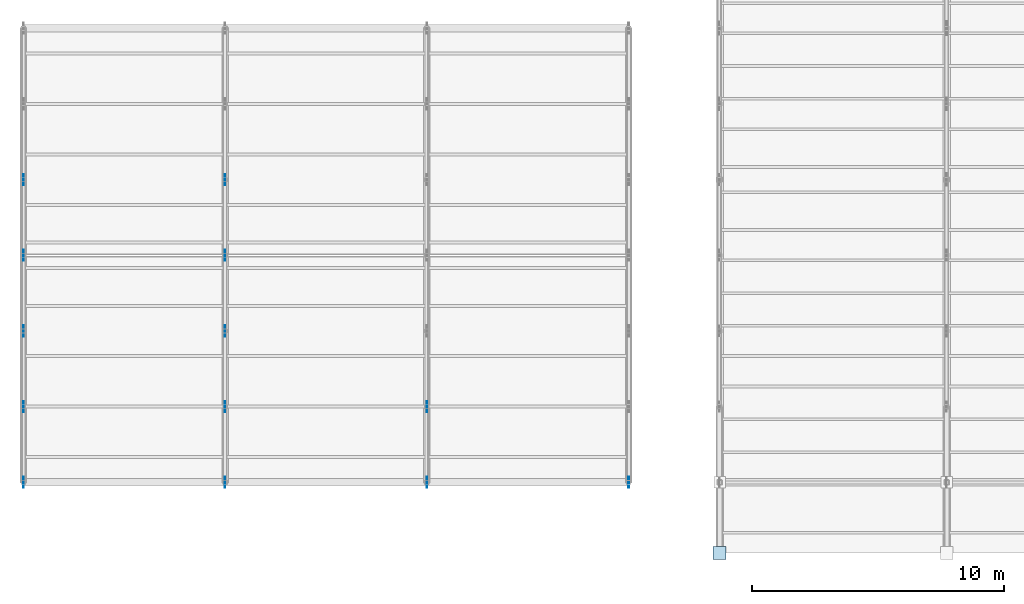
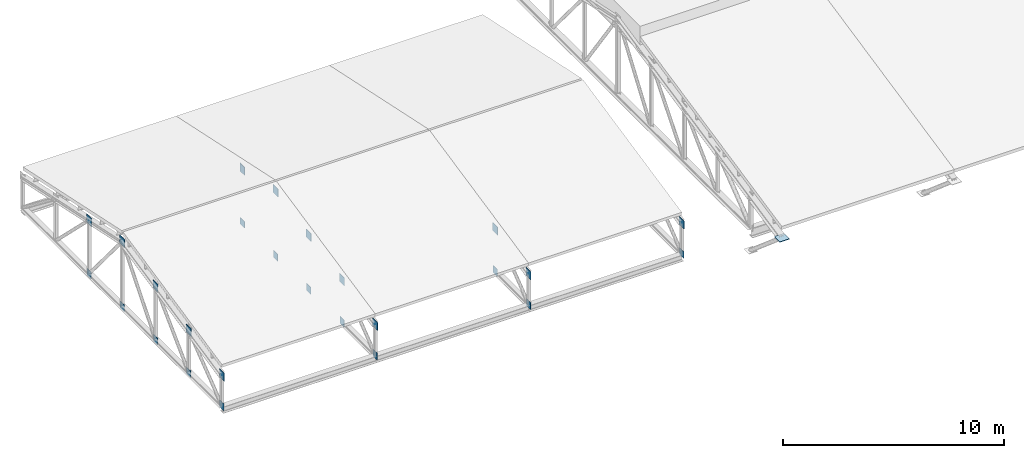
# One storey, part 32 of 43: 27 plates.
"""IFC4 building model written with IfcOpenShell, lengths in metres."""

from ifc_helpers import new_model, si_unit, direction, frame, origin, origin_2d, place, context, subcontext, project, spatial, rectangle, extrude, material, layer, layer_set, type_object, element, save


model = new_model("IFC4")

# Units and contexts
model_context = context("Model", 3, precision=1e-05, world=origin(), true_north=direction((0.0, 1.0)))
body_context = subcontext(model_context, "Body", "Model", "MODEL_VIEW")
ifc_project = project(units=[si_unit("LENGTHUNIT", "METRE"), si_unit("AREAUNIT", "SQUARE_METRE"), si_unit("VOLUMEUNIT", "CUBIC_METRE"), si_unit("PLANEANGLEUNIT", "RADIAN"), si_unit("MASSUNIT", "GRAM", prefix="KILO")], contexts=[model_context])

# Site, building, storey
site_placement = place(None, origin())
site = spatial("IfcSite", under=ifc_project, at=site_placement, CompositionType="ELEMENT")
building_placement = place(site_placement, origin())
building = spatial("IfcBuilding", under=site, at=building_placement, Name="Serraforn Aerial Cableway Station", CompositionType="ELEMENT")
storey_placement = place(building_placement, frame((0.0, 0.0, 18.300048828125)))
storey = spatial("IfcBuildingStorey", under=building, at=storey_placement, Name="RF", CompositionType="ELEMENT", Elevation=18.300048828125)

# Plates
ifc_material = material(Name="Steel S355J2", Category="steel")
ifc_layer_1 = layer(ifc_material, 0.02001953125)
ifc_layer_set_1 = layer_set([ifc_layer_1], Name="Steel S355J2")
plate_type_1 = type_object("IfcPlateType", Name="PLT-CAP-20", PredefinedType="USERDEFINED", material=ifc_layer_set_1)
for number, where, z_axis, x_axis, name in (
    (1, (0.0, 18.0, -1.739990234375), (0.0, 0.0, 1.0), (1.0, 0.0, 0.0), "Belvedere Truss Bottom Node WT-01-1"),
    (2, (0.0, 21.0, -1.739990234375), (0.0, 0.0, 1.0), (1.0, 0.0, 0.0), "Belvedere Truss Bottom Node WT-01-2"),
    (3, (0.0, 24.0, -1.739990234375), (0.0, 0.0, 1.0), (1.0, 0.0, 0.0), "Belvedere Truss Bottom Node WT-01-3"),
    (4, (0.0, 27.0, -1.739990234375), (0.0, 0.0, 1.0), (1.0, 0.0, 0.0), "Belvedere Truss Bottom Node WT-01-4"),
    (5, (0.0, 30.0, -1.739990234375), (0.0, 0.0, 1.0), (1.0, 0.0, 0.0), "Belvedere Truss Bottom Node WT-01-5"),
    (6, (8.0, 18.0, -1.739990234375), (0.0, 0.0, 1.0), (1.0, 0.0, 0.0), "Belvedere Truss Bottom Node WT-02-1"),
    (7, (8.0, 21.0, -1.739990234375), (0.0, 0.0, 1.0), (1.0, 0.0, 0.0), "Belvedere Truss Bottom Node WT-02-2"),
    (8, (8.0, 24.0, -1.739990234375), (0.0, 0.0, 1.0), (1.0, 0.0, 0.0), "Belvedere Truss Bottom Node WT-02-3"),
    (9, (8.0, 27.0, -1.739990234375), (0.0, 0.0, 1.0), (1.0, 0.0, 0.0), "Belvedere Truss Bottom Node WT-02-4"),
    (10, (8.0, 30.0, -1.739990234375), (0.0, 0.0, 1.0), (1.0, 0.0, 0.0), "Belvedere Truss Bottom Node WT-02-5"),
    (11, (16.0, 18.0, -1.739990234375), (0.0, 0.0, 1.0), (1.0, 0.0, 0.0), "Belvedere Truss Bottom Node WT-03-1"),
    (12, (16.0, 21.0, -1.739990234375), (0.0, 0.0, 1.0), (1.0, 0.0, 0.0), "Belvedere Truss Bottom Node WT-03-2"),
    (13, (24.0, 18.0, -1.739990234375), (0.0, 0.0, 1.0), (1.0, 0.0, 0.0), "Belvedere Truss Bottom Node WT-04-1"),
):
    element("IfcPlate", number, at=place(storey_placement, frame(where, z_axis=z_axis, x_axis=x_axis)), inside=storey, type_object=plate_type_1, Name=name, ObjectType="CAP PLATE", PredefinedType="USERDEFINED", context=body_context, shape_type="SweptSolid", body=[
        extrude(rectangle(XDim=0.02001953125, YDim=0.3798828125, at=origin_2d()), origin(), (0.0, 0.0, 1.0), 0.3798828125),
    ])
ifc_layer_2 = layer(ifc_material, 0.028076171875)
ifc_layer_set_2 = layer_set([ifc_layer_2], Name="Steel S355J2")
plate_type_2 = type_object("IfcPlateType", Name="PLT-CAP-28", PredefinedType="USERDEFINED", material=ifc_layer_set_2)
plate_placement = place(storey_placement, frame((27.60009765625, 15.199951171875, -0.2841796875), z_axis=(0.0, 0.0, 1.0), x_axis=(1.0, 0.0, 0.0)))
element("IfcPlate", 14, at=plate_placement, inside=storey, type_object=plate_type_2, Name="Truss Eave Tip Cap Plate TR-01-ES", ObjectType="CAP PLATE", PredefinedType="USERDEFINED", context=body_context, shape_type="SweptSolid", body=[
    extrude(rectangle(XDim=0.5, YDim=0.5, at=origin_2d()), origin(), (0.0, 0.0, 1.0), 0.028076171875),
])
ifc_layer_3 = layer(ifc_material, 0.02197265625)
ifc_layer_set_3 = layer_set([ifc_layer_3], Name="Steel S355J2")
plate_type_3 = type_object("IfcPlateType", Name="PLT-GUS-22", PredefinedType="USERDEFINED", material=ifc_layer_set_3)
for number, where, z_axis, x_axis, name in (
    (15, (0.0, 18.0, -0.091064453125), (0.0, 0.0, 1.0), (1.0, 0.0, 0.0), "Belvedere Truss Top Node WT-01-1"),
    (16, (0.0, 21.0, 0.546630859375), (0.0, 0.0, 1.0), (1.0, 0.0, 0.0), "Belvedere Truss Top Node WT-01-2"),
    (17, (0.0, 24.0, 1.18408203125), (0.0, 0.0, 1.0), (1.0, 0.0, 0.0), "Belvedere Truss Top Node WT-01-3"),
    (18, (0.0, 27.0, 1.82177734375), (0.0, 0.0, 1.0), (1.0, 0.0, 0.0), "Belvedere Truss Top Node WT-01-4"),
    (19, (0.0, 30.0, 1.18408203125), (0.0, 0.0, 1.0), (1.0, 0.0, 0.0), "Belvedere Truss Top Node WT-01-5"),
    (20, (8.0, 18.0, -0.091064453125), (0.0, 0.0, 1.0), (1.0, 0.0, 0.0), "Belvedere Truss Top Node WT-02-1"),
    (21, (8.0, 21.0, 0.546630859375), (0.0, 0.0, 1.0), (1.0, 0.0, 0.0), "Belvedere Truss Top Node WT-02-2"),
    (22, (8.0, 24.0, 1.18408203125), (0.0, 0.0, 1.0), (1.0, 0.0, 0.0), "Belvedere Truss Top Node WT-02-3"),
    (23, (8.0, 27.0, 1.82177734375), (0.0, 0.0, 1.0), (1.0, 0.0, 0.0), "Belvedere Truss Top Node WT-02-4"),
    (24, (8.0, 30.0, 1.18408203125), (0.0, 0.0, 1.0), (1.0, 0.0, 0.0), "Belvedere Truss Top Node WT-02-5"),
    (25, (16.0, 18.0, -0.091064453125), (0.0, 0.0, 1.0), (1.0, 0.0, 0.0), "Belvedere Truss Top Node WT-03-1"),
    (26, (16.0, 21.0, 0.546630859375), (0.0, 0.0, 1.0), (1.0, 0.0, 0.0), "Belvedere Truss Top Node WT-03-2"),
    (27, (24.0, 18.0, -0.091064453125), (0.0, 0.0, 1.0), (1.0, 0.0, 0.0), "Belvedere Truss Top Node WT-04-1"),
):
    element("IfcPlate", number, at=place(storey_placement, frame(where, z_axis=z_axis, x_axis=x_axis)), inside=storey, type_object=plate_type_3, Name=name, ObjectType="GUSSET PLATE", PredefinedType="USERDEFINED", context=body_context, shape_type="SweptSolid", body=[
        extrude(rectangle(XDim=0.02197265625, YDim=0.43994140625, at=origin_2d()), origin(), (0.0, 0.0, 1.0), 0.43994140625),
    ])

save(model, "model.ifc")
